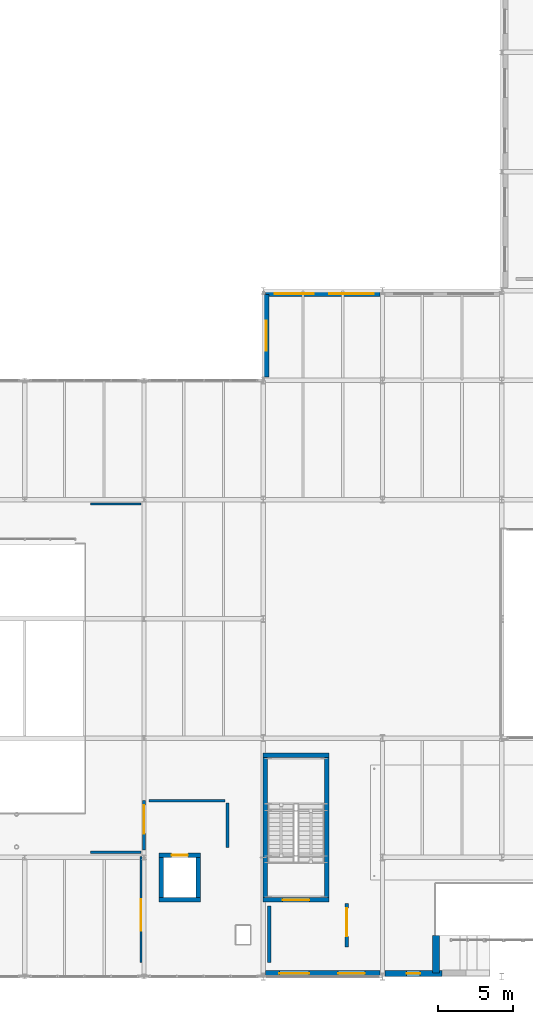
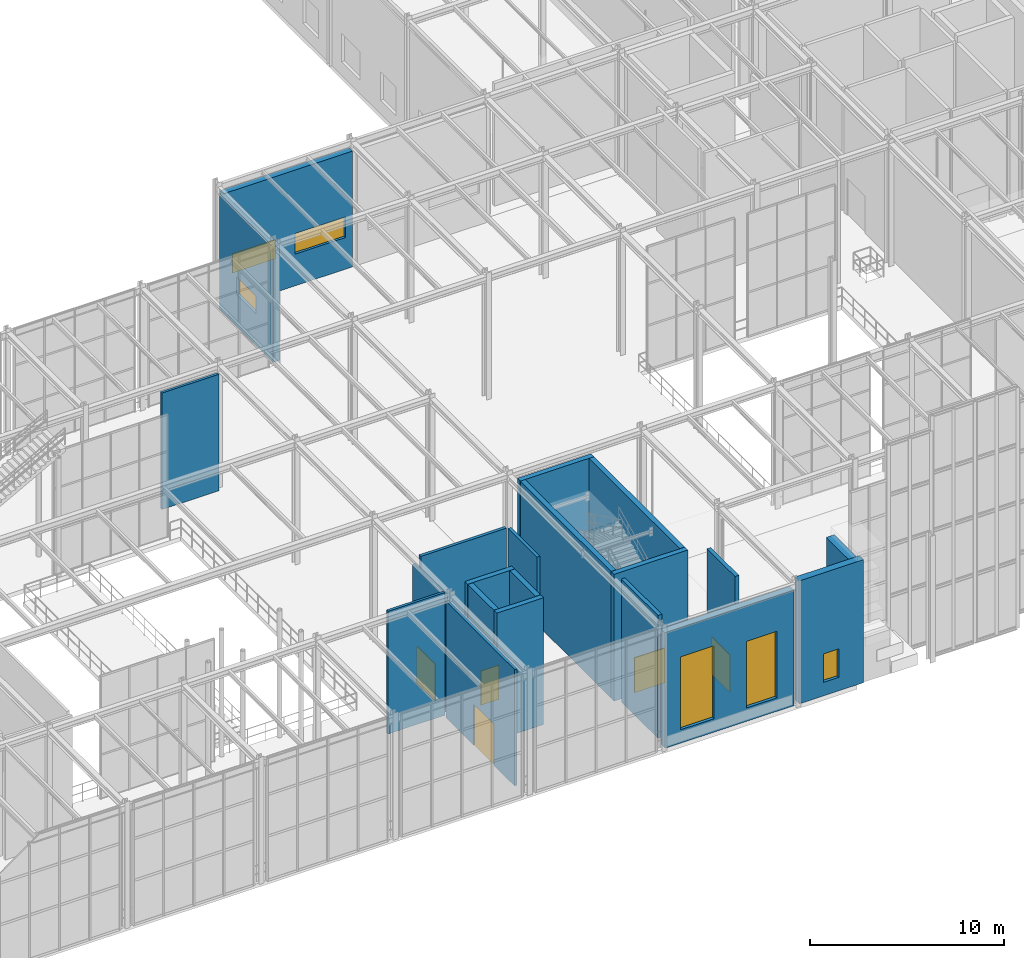
# One storey, part 91 of 138: 21 walls, 6 windows, 5 doors, 11 openings.
"""IFC4 building model written with IfcOpenShell, lengths in metres."""

from ifc_helpers import new_model, si_unit, direction, frame, frame_2d, origin, place, context, subcontext, project, spatial, rectangle, extrude, material, layer, layer_set, type_object, element, fill, save


model = new_model("IFC4")

# Units and contexts
model_context = context("Model", 3, precision=1e-05, world=origin(), true_north=direction((0.0, 1.0)))
body_context = subcontext(model_context, "Body", "Model", "MODEL_VIEW")
ifc_project = project(units=[si_unit("LENGTHUNIT", "METRE"), si_unit("AREAUNIT", "SQUARE_METRE"), si_unit("VOLUMEUNIT", "CUBIC_METRE"), si_unit("PLANEANGLEUNIT", "RADIAN"), si_unit("MASSUNIT", "GRAM", prefix="KILO")], contexts=[model_context])

# Site, building, storey
site_placement = place(None, origin())
site = spatial("IfcSite", under=ifc_project, at=site_placement, CompositionType="ELEMENT")
building_placement = place(site_placement, origin())
building = spatial("IfcBuilding", under=site, at=building_placement, Name="Sundkrona Museum", CompositionType="ELEMENT")
storey_placement = place(building_placement, frame((0.0, 0.0, 9.60009765625)))
storey = spatial("IfcBuildingStorey", under=building, at=storey_placement, Name="L02", CompositionType="ELEMENT", Elevation=9.60009765625)

# Wall, opening, door
ifc_material_1 = material(Name="Concrete C40/50", Category="concrete")
ifc_layer_1 = layer(ifc_material_1, 0.300048828125)
ifc_layer_set_1 = layer_set([ifc_layer_1], Name="Concrete C40/50")
wall_type_1 = type_object("IfcWallType", Name="W-CORE-300", PredefinedType="SHEAR", material=ifc_layer_set_1)
wall_1_placement = place(storey_placement, frame((120.0, 5.14990234375, 0.0), z_axis=(0.0, 0.0, 1.0), x_axis=(1.0, 0.0, 0.0)))
wall_1 = element("IfcWall", 1, at=wall_1_placement, inside=storey, type_object=wall_type_1, Name="L02 ST-2 Core Shear Wall South", PredefinedType="SHEAR", context=body_context, shape_type="SweptSolid", body=[
    extrude(rectangle(XDim=4.39990234375, YDim=0.300048828125, at=frame_2d((2.199951171875, 0.0))), origin(), (0.0, 0.0, 1.0), 8.0),
])
opening_1_placement = place(wall_1_placement, frame((1.300048828125, 0.0, 0.0)))
opening_1 = element("IfcOpeningElement", 2, at=opening_1_placement, cuts=wall_1, Name="Opening D-FD60", PredefinedType="OPENING", context=body_context, shape_type="SweptSolid", body=[
    extrude(rectangle(XDim=1.800048828125, YDim=2.199951171875, at=frame_2d((0.89990234375, 1.10009765625))), frame((0.0, 0.159912109375, 0.0), z_axis=(0.0, -1.0, 0.0), x_axis=(1.0, 0.0, 0.0)), (0.0, 0.0, 1.0), 0.320068359375),
])
ifc_material_2 = material(Name="Steel S355J2 Fire Door Leaf", Category="steel")
door_type_1 = type_object("IfcDoorType", Name="D-FD60", OperationType="DOUBLE_DOOR_SINGLE_SWING", PredefinedType="DOOR", material=ifc_material_2)
door_1_placement = place(opening_1_placement, origin())
door_1 = element("IfcDoor", 3, at=door_1_placement, inside=storey, type_object=door_type_1, Name="L02 ST-2 Protected Escape Stair Door DR-ST-2-L02", OperationType="DOUBLE_DOOR_SINGLE_SWING", OverallHeight=2.199951171875, OverallWidth=1.800048828125, PredefinedType="DOOR", context=body_context, shape_type="SweptSolid", body=[
    extrude(rectangle(XDim=1.800048828125, YDim=2.199951171875, at=frame_2d((0.89990234375, 1.10009765625))), frame((0.0, 0.02490234375, 0.0), z_axis=(0.0, -1.0, 0.0), x_axis=(1.0, 0.0, 0.0)), (0.0, 0.0, 1.0), 0.050048828125),
])
fill(opening_1, door_1)

# Walls
wall_2_placement = place(storey_placement, frame((120.0, 14.85009765625, 0.0), z_axis=(0.0, 0.0, 1.0), x_axis=(1.0, 0.0, 0.0)))
element("IfcWall", 4, at=wall_2_placement, inside=storey, type_object=wall_type_1, Name="L02 ST-2 Core Shear Wall North", PredefinedType="SHEAR", context=body_context, shape_type="SweptSolid", body=[
    extrude(rectangle(XDim=4.39990234375, YDim=0.300048828125, at=frame_2d((2.199951171875, 0.0))), origin(), (0.0, 0.0, 1.0), 8.0),
])
for number, where, z_axis, x_axis, name in (
    (5, (120.14990234375, 5.31005859375, 0.0), (0.0, 0.0, 1.0), (0.0, 1.0, 0.0), "L02 ST-2 Core Shear Wall West"),
    (6, (124.25, 5.31005859375, 0.0), (0.0, 0.0, 1.0), (0.0, 1.0, 0.0), "L02 ST-2 Core Shear Wall East"),
):
    element("IfcWall", number, at=place(storey_placement, frame(where, z_axis=z_axis, x_axis=x_axis)), inside=storey, type_object=wall_type_1, Name=name, PredefinedType="SHEAR", context=body_context, shape_type="SweptSolid", body=[
        extrude(rectangle(XDim=9.3798828125, YDim=0.300048828125, at=frame_2d((4.68994140625, 0.0))), origin(), (0.0, 0.0, 1.0), 8.0),
    ])
wall_3_placement = place(storey_placement, frame((113.0, 5.14990234375, 0.0), z_axis=(0.0, 0.0, 1.0), x_axis=(1.0, 0.0, 0.0)))
element("IfcWall", 7, at=wall_3_placement, inside=storey, type_object=wall_type_1, Name="L02 PL-2 Lift Shaft Wall South", PredefinedType="SHEAR", context=body_context, shape_type="SweptSolid", body=[
    extrude(rectangle(XDim=2.800048828125, YDim=0.300048828125, at=frame_2d((1.39990234375, 0.0))), origin(), (0.0, 0.0, 1.0), 8.0),
])

# Wall, opening, door
wall_4_placement = place(storey_placement, frame((113.0, 8.14990234375, 0.0), z_axis=(0.0, 0.0, 1.0), x_axis=(1.0, 0.0, 0.0)))
wall_4 = element("IfcWall", 8, at=wall_4_placement, inside=storey, type_object=wall_type_1, Name="L02 PL-2 Lift Shaft Wall North", PredefinedType="SHEAR", context=body_context, shape_type="SweptSolid", body=[
    extrude(rectangle(XDim=2.800048828125, YDim=0.300048828125, at=frame_2d((1.39990234375, 0.0))), origin(), (0.0, 0.0, 1.0), 8.0),
])
opening_2_placement = place(wall_4_placement, frame((0.85009765625, 0.0, 0.0)))
opening_2 = element("IfcOpeningElement", 9, at=opening_2_placement, cuts=wall_4, Name="Opening LD-01", PredefinedType="OPENING", context=body_context, shape_type="SweptSolid", body=[
    extrude(rectangle(XDim=1.10009765625, YDim=2.14990234375, at=frame_2d((0.550048828125, 1.074951171875))), frame((0.0, 0.159912109375, 0.0), z_axis=(0.0, -1.0, 0.0), x_axis=(1.0, 0.0, 0.0)), (0.0, 0.0, 1.0), 0.320068359375),
])
ifc_material_3 = material(Name="Brushed Stainless Steel Lift Door", Category="steel")
door_type_2 = type_object("IfcDoorType", Name="LD-01", OperationType="SLIDING_TO_LEFT", PredefinedType="DOOR", material=ifc_material_3)
door_2_placement = place(opening_2_placement, origin())
door_2 = element("IfcDoor", 10, at=door_2_placement, inside=storey, type_object=door_type_2, Name="L02 Public Gallery Passenger Lift PL-2 Landing Door DR-LIFT-PL-2-L02", OperationType="SLIDING_TO_LEFT", OverallHeight=2.14990234375, OverallWidth=1.10009765625, PredefinedType="DOOR", context=body_context, shape_type="SweptSolid", body=[
    extrude(rectangle(XDim=1.10009765625, YDim=2.14990234375, at=frame_2d((0.550048828125, 1.074951171875))), frame((0.0, 0.02490234375, 0.0), z_axis=(0.0, -1.0, 0.0), x_axis=(1.0, 0.0, 0.0)), (0.0, 0.0, 1.0), 0.050048828125),
])
fill(opening_2, door_2)

# Walls
for number, where, z_axis, x_axis, name in (
    (11, (113.14990234375, 5.31005859375, 0.0), (0.0, 0.0, 1.0), (0.0, 1.0, 0.0), "L02 PL-2 Lift Shaft Wall West"),
    (12, (115.64990234375, 5.31005859375, 0.0), (0.0, 0.0, 1.0), (0.0, 1.0, 0.0), "L02 PL-2 Lift Shaft Wall East"),
):
    element("IfcWall", number, at=place(storey_placement, frame(where, z_axis=z_axis, x_axis=x_axis)), inside=storey, type_object=wall_type_1, Name=name, PredefinedType="SHEAR", context=body_context, shape_type="SweptSolid", body=[
        extrude(rectangle(XDim=2.679931640625, YDim=0.300048828125, at=frame_2d((1.33984375, 0.0))), origin(), (0.0, 0.0, 1.0), 8.0),
    ])

# Wall, opening, window
ifc_material_4 = material(Name="Scanian Polychrome Clay Brickwork 390 mm", Category="masonry")
ifc_layer_2 = layer(ifc_material_4, 0.389892578125)
ifc_layer_set_2 = layer_set([ifc_layer_2], Name="Scanian Polychrome Clay Brickwork 390 mm")
wall_type_2 = type_object("IfcWallType", Name="W-EX-390", PredefinedType="SOLIDWALL", material=ifc_layer_set_2)
wall_5_placement = place(storey_placement, frame((120.195068359375, 40.22705078125, 0.0), z_axis=(0.0, 0.0, 1.0), x_axis=(0.0, 1.0, 0.0)))
wall_5 = element("IfcWall", 13, at=wall_5_placement, inside=storey, type_object=wall_type_2, Name="L02 Facade Wall 0037", PredefinedType="SOLIDWALL", context=body_context, shape_type="SweptSolid", body=[
    extrude(rectangle(XDim=5.5458984375, YDim=0.389892578125, at=frame_2d((2.77294921875, 0.0))), origin(), (0.0, 0.0, 1.0), 7.284912109375),
])
opening_3_placement = place(wall_5_placement, frame((1.77294921875, 0.0, 2.0)))
opening_3 = element("IfcOpeningElement", 14, at=opening_3_placement, cuts=wall_5, Name="Opening WN-CL-200x110", PredefinedType="OPENING", context=body_context, shape_type="SweptSolid", body=[
    extrude(rectangle(XDim=2.0, YDim=1.10009765625, at=frame_2d((1.0, 0.550048828125))), frame((0.0, 0.204833984375, 0.0), z_axis=(0.0, -1.0, 0.0), x_axis=(1.0, 0.0, 0.0)), (0.0, 0.0, 1.0), 0.409912109375),
])
ifc_material_5 = material(Name="Triple Low-E Argon Glazing in Bronze-Anodised Aluminium", Category="aluminium")
window_type_1 = type_object("IfcWindowType", Name="WN-CL-200x110", PartitioningType="DOUBLE_PANEL_HORIZONTAL", PredefinedType="WINDOW", material=ifc_material_5)
window_1_placement = place(opening_3_placement, origin())
window_1 = element("IfcWindow", 15, at=window_1_placement, inside=storey, type_object=window_type_1, Name="L02 Archive foyer clerestory window 2000x1100 WIN-L02-0048", OverallHeight=1.10009765625, OverallWidth=2.0, PartitioningType="DOUBLE_PANEL_HORIZONTAL", PredefinedType="WINDOW", context=body_context, shape_type="SweptSolid", body=[
    extrude(rectangle(XDim=2.0, YDim=1.10009765625, at=frame_2d((1.0, 0.550048828125))), frame((0.0, 0.030029296875, 0.0), z_axis=(0.0, -1.0, 0.0), x_axis=(1.0, 0.0, 0.0)), (0.0, 0.0, 1.0), 0.06005859375),
])
fill(opening_3, window_1)

# Wall, openings, windows
ifc_material_6 = material(Name="Scanian Polychrome Clay Brickwork 420 mm", Category="masonry")
ifc_layer_3 = layer(ifc_material_6, 0.419921875)
ifc_layer_set_3 = layer_set([ifc_layer_3], Name="Scanian Polychrome Clay Brickwork 420 mm")
wall_type_3 = type_object("IfcWallType", Name="W-EX-420", PredefinedType="SOLIDWALL", material=ifc_layer_set_3)
wall_6_placement = place(storey_placement, frame((127.847900390625, 0.2099609375, 0.0), z_axis=(0.0, 0.0, 1.0), x_axis=(-1.0, 0.0, 0.0)))
wall_6 = element("IfcWall", 16, at=wall_6_placement, inside=storey, type_object=wall_type_3, Name="L02 Facade Wall 0025", PredefinedType="SOLIDWALL", context=body_context, shape_type="SweptSolid", body=[
    extrude(rectangle(XDim=7.69580078125, YDim=0.419921875, at=frame_2d((3.847900390625, 0.0))), origin(), (0.0, 0.0, 1.0), 7.284912109375),
])
opening_4_placement = place(wall_6_placement, frame((1.02392578125, 0.0, 0.85009765625)))
opening_4 = element("IfcOpeningElement", 17, at=opening_4_placement, cuts=wall_6, Name="Opening WN-LN-180x420", PredefinedType="OPENING", context=body_context, shape_type="SweptSolid", body=[
    extrude(rectangle(XDim=1.800048828125, YDim=4.199951171875, at=frame_2d((0.89990234375, 2.10009765625))), frame((0.0, 0.219970703125, 0.0), z_axis=(0.0, -1.0, 0.0), x_axis=(1.0, 0.0, 0.0)), (0.0, 0.0, 1.0), 0.43994140625),
])
opening_5_placement = place(wall_6_placement, frame((4.77197265625, 0.0, 0.85009765625)))
opening_5 = element("IfcOpeningElement", 18, at=opening_5_placement, cuts=wall_6, Name="Opening WN-LN-200x460", PredefinedType="OPENING", context=body_context, shape_type="SweptSolid", body=[
    extrude(rectangle(XDim=2.0, YDim=4.60009765625, at=frame_2d((1.0, 2.300048828125))), frame((0.0, 0.219970703125, 0.0), z_axis=(0.0, -1.0, 0.0), x_axis=(1.0, 0.0, 0.0)), (0.0, 0.0, 1.0), 0.43994140625),
])
window_type_2 = type_object("IfcWindowType", Name="WN-LN-180x420", PartitioningType="DOUBLE_PANEL_VERTICAL", PredefinedType="WINDOW", material=ifc_material_5)
window_2_placement = place(opening_4_placement, origin())
window_2 = element("IfcWindow", 19, at=window_2_placement, inside=storey, type_object=window_type_2, Name="L02 Paleontology hall tall window 1800x4200 WIN-L02-0031", OverallHeight=4.199951171875, OverallWidth=1.800048828125, PartitioningType="DOUBLE_PANEL_VERTICAL", PredefinedType="WINDOW", context=body_context, shape_type="SweptSolid", body=[
    extrude(rectangle(XDim=1.800048828125, YDim=4.199951171875, at=frame_2d((0.89990234375, 2.10009765625))), frame((0.0, 0.030029296875, 0.0), z_axis=(0.0, -1.0, 0.0), x_axis=(1.0, 0.0, 0.0)), (0.0, 0.0, 1.0), 0.06005859375),
])
fill(opening_4, window_2)
window_type_3 = type_object("IfcWindowType", Name="WN-LN-200x460", PartitioningType="TRIPLE_PANEL_VERTICAL", PredefinedType="WINDOW", material=ifc_material_5)
window_3_placement = place(opening_5_placement, origin())
window_3 = element("IfcWindow", 20, at=window_3_placement, inside=storey, type_object=window_type_3, Name="L02 Monumental hall lancet window 2000x4600 WIN-L02-0032", OverallHeight=4.60009765625, OverallWidth=2.0, PartitioningType="TRIPLE_PANEL_VERTICAL", PredefinedType="WINDOW", context=body_context, shape_type="SweptSolid", body=[
    extrude(rectangle(XDim=2.0, YDim=4.60009765625, at=frame_2d((1.0, 2.300048828125))), frame((0.0, 0.030029296875, 0.0), z_axis=(0.0, -1.0, 0.0), x_axis=(1.0, 0.0, 0.0)), (0.0, 0.0, 1.0), 0.06005859375),
])
fill(opening_5, window_3)

# Wall, opening, window
wall_7_placement = place(storey_placement, frame((131.989990234375, 0.2099609375, 0.0), z_axis=(0.0, 0.0, 1.0), x_axis=(-1.0, 0.0, 0.0)))
wall_7 = element("IfcWall", 21, at=wall_7_placement, inside=storey, type_object=wall_type_3, Name="L02 Facade Wall 0026", PredefinedType="SOLIDWALL", context=body_context, shape_type="SweptSolid", body=[
    extrude(rectangle(XDim=3.837890625, YDim=0.419921875, at=frame_2d((1.9189453125, 0.0))), origin(), (0.0, 0.0, 1.0), 7.760009765625),
])
opening_6_placement = place(wall_7_placement, frame((1.468994140625, 0.0, 0.85009765625)))
opening_6 = element("IfcOpeningElement", 22, at=opening_6_placement, cuts=wall_7, Name="Opening WN-ST-090x180", PredefinedType="OPENING", context=body_context, shape_type="SweptSolid", body=[
    extrude(rectangle(XDim=0.89990234375, YDim=1.800048828125, at=frame_2d((0.449951171875, 0.89990234375))), frame((0.0, 0.219970703125, 0.0), z_axis=(0.0, -1.0, 0.0), x_axis=(1.0, 0.0, 0.0)), (0.0, 0.0, 1.0), 0.43994140625),
])
window_type_4 = type_object("IfcWindowType", Name="WN-ST-090x180", PartitioningType="SINGLE_PANEL", PredefinedType="WINDOW", material=ifc_material_5)
window_4_placement = place(opening_6_placement, origin())
window_4 = element("IfcWindow", 23, at=window_4_placement, inside=storey, type_object=window_type_4, Name="L02 Stair-core avenue daylight slot window 900x1800 WIN-L02-0033", OverallHeight=1.800048828125, OverallWidth=0.89990234375, PartitioningType="SINGLE_PANEL", PredefinedType="WINDOW", context=body_context, shape_type="SweptSolid", body=[
    extrude(rectangle(XDim=0.89990234375, YDim=1.800048828125, at=frame_2d((0.449951171875, 0.89990234375))), frame((0.0, 0.030029296875, 0.0), z_axis=(0.0, -1.0, 0.0), x_axis=(1.0, 0.0, 0.0)), (0.0, 0.0, 1.0), 0.06005859375),
])
fill(opening_6, window_4)

# Wall, opening, door
ifc_material_7 = material(Name="Autoclaved Aerated Masonry 225 mm", Category="masonry")
ifc_layer_4 = layer(ifc_material_7, 0.22509765625)
ifc_layer_set_4 = layer_set([ifc_layer_4], Name="Autoclaved Aerated Masonry 225 mm")
wall_type_4 = type_object("IfcWallType", Name="W-FF-225", PredefinedType="SOLIDWALL", material=ifc_layer_set_4)
wall_8_placement = place(storey_placement, frame((125.60009765625, 2.0, 0.0), z_axis=(0.0, 0.0, 1.0), x_axis=(0.0, 1.0, 0.0)))
wall_8 = element("IfcWall", 24, at=wall_8_placement, inside=storey, type_object=wall_type_4, Name="L02 Partition Core 2 Stair Lobby / Paleontology Exhibition Hall", PredefinedType="SOLIDWALL", context=body_context, shape_type="SweptSolid", body=[
    extrude(rectangle(XDim=2.89990234375, YDim=0.22509765625, at=frame_2d((1.449951171875, 0.0))), origin(), (0.0, 0.0, 1.0), 7.760009765625),
])
opening_7_placement = place(wall_8_placement, frame((0.699951171875, 0.0, 0.0)))
opening_7 = element("IfcOpeningElement", 25, at=opening_7_placement, cuts=wall_8, Name="Opening D-AUD-190", PredefinedType="OPENING", context=body_context, shape_type="SweptSolid", body=[
    extrude(rectangle(XDim=1.89990234375, YDim=2.35009765625, at=frame_2d((0.949951171875, 1.175048828125))), frame((0.0, 0.12255859375, 0.0), z_axis=(0.0, -1.0, 0.0), x_axis=(1.0, 0.0, 0.0)), (0.0, 0.0, 1.0), 0.2451171875),
])
ifc_material_8 = material(Name="Acoustic Oak Fire Door", Category="other")
door_type_3 = type_object("IfcDoorType", Name="D-AUD-190", OperationType="DOUBLE_DOOR_SINGLE_SWING", PredefinedType="DOOR", material=ifc_material_8)
door_3_placement = place(opening_7_placement, origin())
door_3 = element("IfcDoor", 26, at=door_3_placement, inside=storey, type_object=door_type_3, Name="L02 Interior Door DR-ADJ-L02-0121", OperationType="DOUBLE_DOOR_SINGLE_SWING", OverallHeight=2.35009765625, OverallWidth=1.89990234375, PredefinedType="DOOR", context=body_context, shape_type="SweptSolid", body=[
    extrude(rectangle(XDim=1.89990234375, YDim=2.35009765625, at=frame_2d((0.949951171875, 1.175048828125))), frame((0.0, 0.02490234375, 0.0), z_axis=(0.0, -1.0, 0.0), x_axis=(1.0, 0.0, 0.0)), (0.0, 0.0, 1.0), 0.050048828125),
])
fill(opening_7, door_3)

# Walls
wall_9_placement = place(storey_placement, frame((120.39990234375, 0.949951171875, 0.0), z_axis=(0.0, 0.0, 1.0), x_axis=(0.0, 1.0, 0.0)))
element("IfcWall", 27, at=wall_9_placement, inside=storey, type_object=wall_type_4, Name="L02 Core 2 Stair Lobby Enclosure Wall W", PredefinedType="SOLIDWALL", context=body_context, shape_type="SweptSolid", body=[
    extrude(rectangle(XDim=3.800048828125, YDim=0.22509765625, at=frame_2d((1.89990234375, 0.0))), origin(), (0.0, 0.0, 1.0), 7.760009765625),
])
ifc_material_9 = material(Name="Danian Limestone Ashlar Masonry 480 mm", Category="masonry")
ifc_layer_5 = layer(ifc_material_9, 0.47998046875)
ifc_layer_set_5 = layer_set([ifc_layer_5], Name="Danian Limestone Ashlar Masonry 480 mm")
wall_type_5 = type_object("IfcWallType", Name="W-LIM-480", PredefinedType="SOLIDWALL", material=ifc_layer_set_5)
wall_10_placement = place(storey_placement, frame((131.60009765625, 0.239990234375, 0.0), z_axis=(0.0, 0.0, 1.0), x_axis=(0.0, 1.0, 0.0)))
element("IfcWall", 28, at=wall_10_placement, inside=storey, type_object=wall_type_5, Name="L02 Oculus Deep Reveal West Wall", PredefinedType="SOLIDWALL", context=body_context, shape_type="SweptSolid", body=[
    extrude(rectangle(XDim=2.510009765625, YDim=0.47998046875, at=frame_2d((1.2548828125, 0.0))), origin(), (0.0, 0.0, 1.0), 7.719970703125),
])
ifc_material_10 = material(Name="Acoustic Gypsum Partition Board 150 mm", Category="other")
ifc_layer_6 = layer(ifc_material_10, 0.14990234375)
ifc_layer_set_6 = layer_set([ifc_layer_6], Name="Acoustic Gypsum Partition Board 150 mm")
wall_type_6 = type_object("IfcWallType", Name="W-PT-150", PredefinedType="PARTITIONING", material=ifc_layer_set_6)
wall_11_placement = place(storey_placement, frame((108.39990234375, 31.699951171875, 0.0), z_axis=(0.0, 0.0, 1.0), x_axis=(1.0, 0.0, 0.0)))
element("IfcWall", 29, at=wall_11_placement, inside=storey, type_object=wall_type_6, Name="L02 Partition Atrium Upper Promenade / Atrium Level 02 East Walk", PredefinedType="PARTITIONING", context=body_context, shape_type="SweptSolid", body=[
    extrude(rectangle(XDim=3.400146484375, YDim=0.14990234375, at=frame_2d((1.7001953125, 0.0))), origin(), (0.0, 0.0, 1.0), 7.349853515625),
])
wall_12_placement = place(storey_placement, frame((108.39990234375, 8.35009765625, 0.0), z_axis=(0.0, 0.0, 1.0), x_axis=(1.0, 0.0, 0.0)))
element("IfcWall", 30, at=wall_12_placement, inside=storey, type_object=wall_type_6, Name="L02 Partition Atrium Level 02 East Walk / Atrium Sculpture Overlook", PredefinedType="PARTITIONING", context=body_context, shape_type="SweptSolid", body=[
    extrude(rectangle(XDim=3.400146484375, YDim=0.14990234375, at=frame_2d((1.7001953125, 0.0))), origin(), (0.0, 0.0, 1.0), 7.739990234375),
])

# Wall, opening, door
wall_13_placement = place(storey_placement, frame((111.800048828125, 0.949951171875, 0.0), z_axis=(0.0, 0.0, 1.0), x_axis=(0.0, 1.0, 0.0)))
wall_13 = element("IfcWall", 31, at=wall_13_placement, inside=storey, type_object=wall_type_6, Name="L02 Atrium Sculpture Overlook Enclosure Wall E", PredefinedType="PARTITIONING", context=body_context, shape_type="SweptSolid", body=[
    extrude(rectangle(XDim=7.10009765625, YDim=0.14990234375, at=frame_2d((3.550048828125, 0.0))), origin(), (0.0, 0.0, 1.0), 7.349853515625),
])
opening_8_placement = place(wall_13_placement, frame((2.13330078125, 0.0, 0.0)))
opening_8 = element("IfcOpeningElement", 32, at=opening_8_placement, cuts=wall_13, Name="Opening D-GAL-210", PredefinedType="OPENING", context=body_context, shape_type="SweptSolid", body=[
    extrude(rectangle(XDim=2.10009765625, YDim=2.60009765625, at=frame_2d((1.050048828125, 1.300048828125))), frame((0.0, 0.0849609375, 0.0), z_axis=(0.0, -1.0, 0.0), x_axis=(1.0, 0.0, 0.0)), (0.0, 0.0, 1.0), 0.169921875),
])
ifc_material_11 = material(Name="European Oak Gallery Door", Category="other")
door_type_4 = type_object("IfcDoorType", Name="D-GAL-210", OperationType="DOUBLE_DOOR_SINGLE_SWING", PredefinedType="DOOR", material=ifc_material_11)
door_4_placement = place(opening_8_placement, origin())
door_4 = element("IfcDoor", 33, at=door_4_placement, inside=storey, type_object=door_type_4, Name="L02 Interior Door DR-INT-L02-0146", OperationType="DOUBLE_DOOR_SINGLE_SWING", OverallHeight=2.60009765625, OverallWidth=2.10009765625, PredefinedType="DOOR", context=body_context, shape_type="SweptSolid", body=[
    extrude(rectangle(XDim=2.10009765625, YDim=2.60009765625, at=frame_2d((1.050048828125, 1.300048828125))), frame((0.0, 0.02490234375, 0.0), z_axis=(0.0, -1.0, 0.0), x_axis=(1.0, 0.0, 0.0)), (0.0, 0.0, 1.0), 0.050048828125),
])
fill(opening_8, door_4)

ifc_material_12 = material(Name="Fire-rated Gypsum Partition Board 175 mm", Category="other")
ifc_layer_7 = layer(ifc_material_12, 0.175048828125)
ifc_layer_set_7 = layer_set([ifc_layer_7], Name="Fire-rated Gypsum Partition Board 175 mm")
wall_type_7 = type_object("IfcWallType", Name="W-PT-175", PredefinedType="PARTITIONING", material=ifc_layer_set_7)
wall_14_placement = place(storey_placement, frame((112.0, 8.5, 0.0), z_axis=(0.0, 0.0, 1.0), x_axis=(0.0, 1.0, 0.0)))
wall_14 = element("IfcWall", 34, at=wall_14_placement, inside=storey, type_object=wall_type_7, Name="L02 Partition Atrium Lift Lobby / Atrium Level 02 East Walk", PredefinedType="PARTITIONING", context=body_context, shape_type="SweptSolid", body=[
    extrude(rectangle(XDim=3.300048828125, YDim=0.175048828125, at=frame_2d((1.64990234375, 0.0))), origin(), (0.0, 0.0, 1.0), 7.349853515625),
])
opening_9_placement = place(wall_14_placement, frame((1.10009765625, 0.0, 0.0)))
opening_9 = element("IfcOpeningElement", 35, at=opening_9_placement, cuts=wall_14, Name="Opening D-AUD-190", PredefinedType="OPENING", context=body_context, shape_type="SweptSolid", body=[
    extrude(rectangle(XDim=1.89990234375, YDim=2.35009765625, at=frame_2d((0.949951171875, 1.175048828125))), frame((0.0, 0.097412109375, 0.0), z_axis=(0.0, -1.0, 0.0), x_axis=(1.0, 0.0, 0.0)), (0.0, 0.0, 1.0), 0.195068359375),
])
door_5_placement = place(opening_9_placement, origin())
door_5 = element("IfcDoor", 36, at=door_5_placement, inside=storey, type_object=door_type_3, Name="L02 Interior Door DR-ADJ-L02-0122", OperationType="DOUBLE_DOOR_SINGLE_SWING", OverallHeight=2.35009765625, OverallWidth=1.89990234375, PredefinedType="DOOR", context=body_context, shape_type="SweptSolid", body=[
    extrude(rectangle(XDim=1.89990234375, YDim=2.35009765625, at=frame_2d((0.949951171875, 1.175048828125))), frame((0.0, 0.02490234375, 0.0), z_axis=(0.0, -1.0, 0.0), x_axis=(1.0, 0.0, 0.0)), (0.0, 0.0, 1.0), 0.050048828125),
])
fill(opening_9, door_5)

# Walls
wall_15_placement = place(storey_placement, frame((112.35009765625, 11.800048828125, 0.0), z_axis=(0.0, 0.0, 1.0), x_axis=(1.0, 0.0, 0.0)))
element("IfcWall", 37, at=wall_15_placement, inside=storey, type_object=wall_type_7, Name="L02 Atrium Lift Lobby Enclosure Wall N", PredefinedType="PARTITIONING", context=body_context, shape_type="SweptSolid", body=[
    extrude(rectangle(XDim=5.099853515625, YDim=0.175048828125, at=frame_2d((2.5498046875, 0.0))), origin(), (0.0, 0.0, 1.0), 7.739990234375),
])
wall_16_placement = place(storey_placement, frame((117.60009765625, 8.64990234375, 0.0), z_axis=(0.0, 0.0, 1.0), x_axis=(0.0, 1.0, 0.0)))
element("IfcWall", 38, at=wall_16_placement, inside=storey, type_object=wall_type_7, Name="L02 Atrium Lift Lobby Enclosure Wall E", PredefinedType="PARTITIONING", context=body_context, shape_type="SweptSolid", body=[
    extrude(rectangle(XDim=3.0, YDim=0.175048828125, at=frame_2d((1.5, 0.0))), origin(), (0.0, 0.0, 1.0), 7.739990234375),
])

# Wall, openings, windows
ifc_material_13 = material(Name="Vitrified Stoneware Mosaic Cladding 360 mm", Category="masonry")
ifc_layer_8 = layer(ifc_material_13, 0.360107421875)
ifc_layer_set_8 = layer_set([ifc_layer_8], Name="Vitrified Stoneware Mosaic Cladding 360 mm")
wall_type_8 = type_object("IfcWallType", Name="W-SP-360", PredefinedType="ELEMENTEDWALL", material=ifc_layer_set_8)
wall_17_placement = place(storey_placement, frame((120.152099609375, 45.820068359375, 0.0), z_axis=(0.0, 0.0, 1.0), x_axis=(1.0, 0.0, 0.0)))
wall_17 = element("IfcWall", 39, at=wall_17_placement, inside=storey, type_object=wall_type_8, Name="L02 Facade Wall 0035", PredefinedType="ELEMENTEDWALL", context=body_context, shape_type="SweptSolid", body=[
    extrude(rectangle(XDim=7.69580078125, YDim=0.360107421875, at=frame_2d((3.847900390625, 0.0))), origin(), (0.0, 0.0, 1.0), 7.304931640625),
])
opening_10_placement = place(wall_17_placement, frame((0.6240234375, 0.0, 2.0)))
opening_10 = element("IfcOpeningElement", 40, at=opening_10_placement, cuts=wall_17, Name="Opening WN-CL-260x120", PredefinedType="OPENING", context=body_context, shape_type="SweptSolid", body=[
    extrude(rectangle(XDim=2.60009765625, YDim=1.199951171875, at=frame_2d((1.300048828125, 0.60009765625))), frame((0.0, 0.18994140625, 0.0), z_axis=(0.0, -1.0, 0.0), x_axis=(1.0, 0.0, 0.0)), (0.0, 0.0, 1.0), 0.380126953125),
])
opening_11_placement = place(wall_17_placement, frame((4.27197265625, 0.0, 2.0)))
opening_11 = element("IfcOpeningElement", 41, at=opening_11_placement, cuts=wall_17, Name="Opening WN-CL-300x130", PredefinedType="OPENING", context=body_context, shape_type="SweptSolid", body=[
    extrude(rectangle(XDim=3.0, YDim=1.300048828125, at=frame_2d((1.5, 0.64990234375))), frame((0.0, 0.18994140625, 0.0), z_axis=(0.0, -1.0, 0.0), x_axis=(1.0, 0.0, 0.0)), (0.0, 0.0, 1.0), 0.380126953125),
])
window_type_5 = type_object("IfcWindowType", Name="WN-CL-260x120", PartitioningType="DOUBLE_PANEL_HORIZONTAL", PredefinedType="WINDOW", material=ifc_material_5)
window_5_placement = place(opening_10_placement, origin())
window_5 = element("IfcWindow", 42, at=window_5_placement, inside=storey, type_object=window_type_5, Name="L02 High-level gallery clerestory ribbon window 2600x1200 WIN-L02-0044", OverallHeight=1.199951171875, OverallWidth=2.60009765625, PartitioningType="DOUBLE_PANEL_HORIZONTAL", PredefinedType="WINDOW", context=body_context, shape_type="SweptSolid", body=[
    extrude(rectangle(XDim=2.60009765625, YDim=1.199951171875, at=frame_2d((1.300048828125, 0.60009765625))), frame((0.0, 0.030029296875, 0.0), z_axis=(0.0, -1.0, 0.0), x_axis=(1.0, 0.0, 0.0)), (0.0, 0.0, 1.0), 0.06005859375),
])
fill(opening_10, window_5)
window_type_6 = type_object("IfcWindowType", Name="WN-CL-300x130", PartitioningType="TRIPLE_PANEL_HORIZONTAL", PredefinedType="WINDOW", material=ifc_material_5)
window_6_placement = place(opening_11_placement, origin())
window_6 = element("IfcWindow", 43, at=window_6_placement, inside=storey, type_object=window_type_6, Name="L02 Exhibition clerestory window 3000x1300 WIN-L02-0045", OverallHeight=1.300048828125, OverallWidth=3.0, PartitioningType="TRIPLE_PANEL_HORIZONTAL", PredefinedType="WINDOW", context=body_context, shape_type="SweptSolid", body=[
    extrude(rectangle(XDim=3.0, YDim=1.300048828125, at=frame_2d((1.5, 0.64990234375))), frame((0.0, 0.030029296875, 0.0), z_axis=(0.0, -1.0, 0.0), x_axis=(1.0, 0.0, 0.0)), (0.0, 0.0, 1.0), 0.06005859375),
])
fill(opening_11, window_6)

save(model, "model.ifc")
